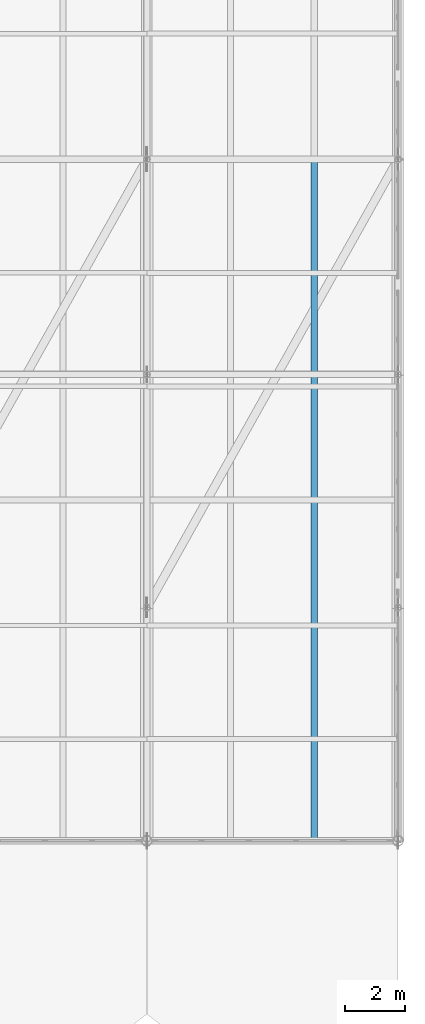
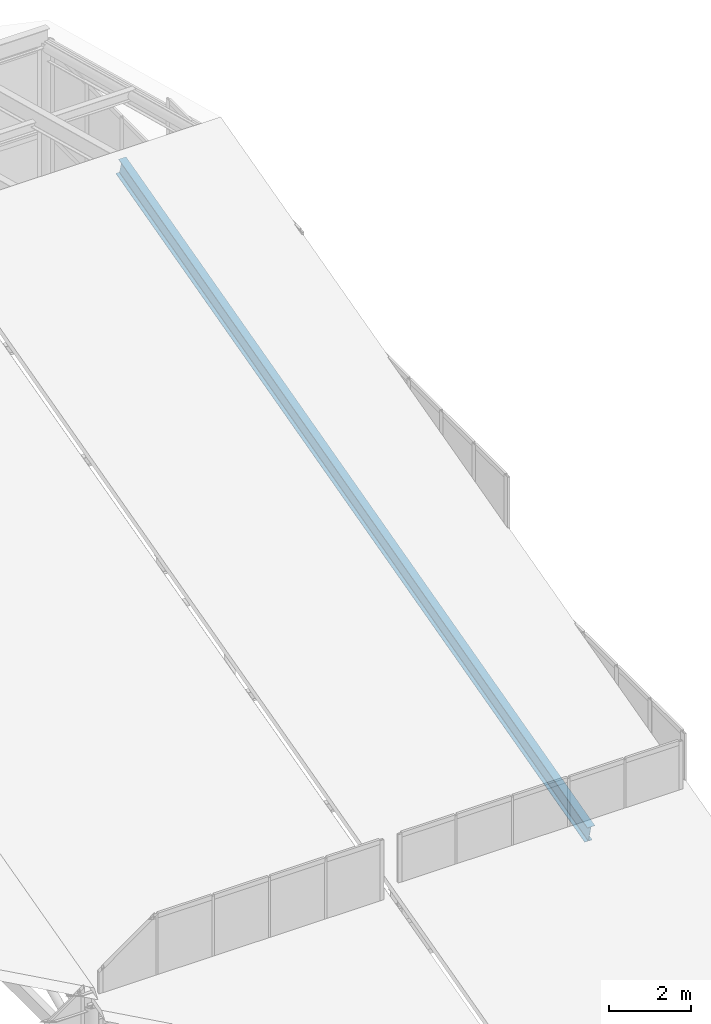
# One storey, part 25 of 43: 1 beam.
"""IFC4 building model written with IfcOpenShell, lengths in metres."""

from ifc_helpers import new_model, si_unit, direction, frame, origin, origin_2d, place, context, subcontext, project, spatial, i_section, extrude, material, material_profile, profile_set, type_object, element, save


model = new_model("IFC4")

# Units and contexts
model_context = context("Model", 3, precision=1e-05, world=origin(), true_north=direction((0.0, 1.0)))
body_context = subcontext(model_context, "Body", "Model", "MODEL_VIEW")
ifc_project = project(units=[si_unit("LENGTHUNIT", "METRE"), si_unit("AREAUNIT", "SQUARE_METRE"), si_unit("VOLUMEUNIT", "CUBIC_METRE"), si_unit("PLANEANGLEUNIT", "RADIAN"), si_unit("MASSUNIT", "GRAM", prefix="KILO")], contexts=[model_context])

# Site, building, storey
site_placement = place(None, origin())
site = spatial("IfcSite", under=ifc_project, at=site_placement, CompositionType="ELEMENT")
building_placement = place(site_placement, origin())
building = spatial("IfcBuilding", under=site, at=building_placement, Name="Selat Folded Stagehouse", CompositionType="ELEMENT")
storey_placement = place(building_placement, frame((0.0, 0.0, 32.39990234375)))
storey = spatial("IfcBuildingStorey", under=building, at=storey_placement, Name="RF", CompositionType="ELEMENT", Elevation=32.39990234375)

# Beam
ifc_material = material(Name="Steel S355", Category="steel")
ifc_material_profile = material_profile(ifc_material, i_section(OverallWidth=0.209228515625, OverallDepth=0.533203125, WebThickness=0.010009765625, FlangeThickness=0.015625, FilletRadius=0.0126953125, at=origin_2d()), Name="UKB 533x210x92")
ifc_profile_set = profile_set([ifc_material_profile], Name="Steel S355")
beam_type = type_object("IfcBeamType", Name="BM-GIRD-533x210x92", PredefinedType="BEAM", material=ifc_profile_set)
beam_placement = place(storey_placement, frame((64.39990234375, 23.39990234375, 1.9208984375), z_axis=(0.0, 0.966839847915, 0.255383453816), x_axis=(-1.0, 0.0, 0.0)))
element("IfcBeam", 1, at=beam_placement, inside=storey, type_object=beam_type, Name="RF bay 7 E south sub-rafter", PredefinedType="BEAM", context=body_context, shape_type="SweptSolid", body=[
    extrude(i_section(OverallWidth=0.209228515625, OverallDepth=0.533203125, WebThickness=0.010009765625, FlangeThickness=0.015625, FilletRadius=0.0126953125, at=origin_2d()), origin(), (0.0, 0.0, 1.0), 23.58203125),
])

save(model, "model.ifc")
